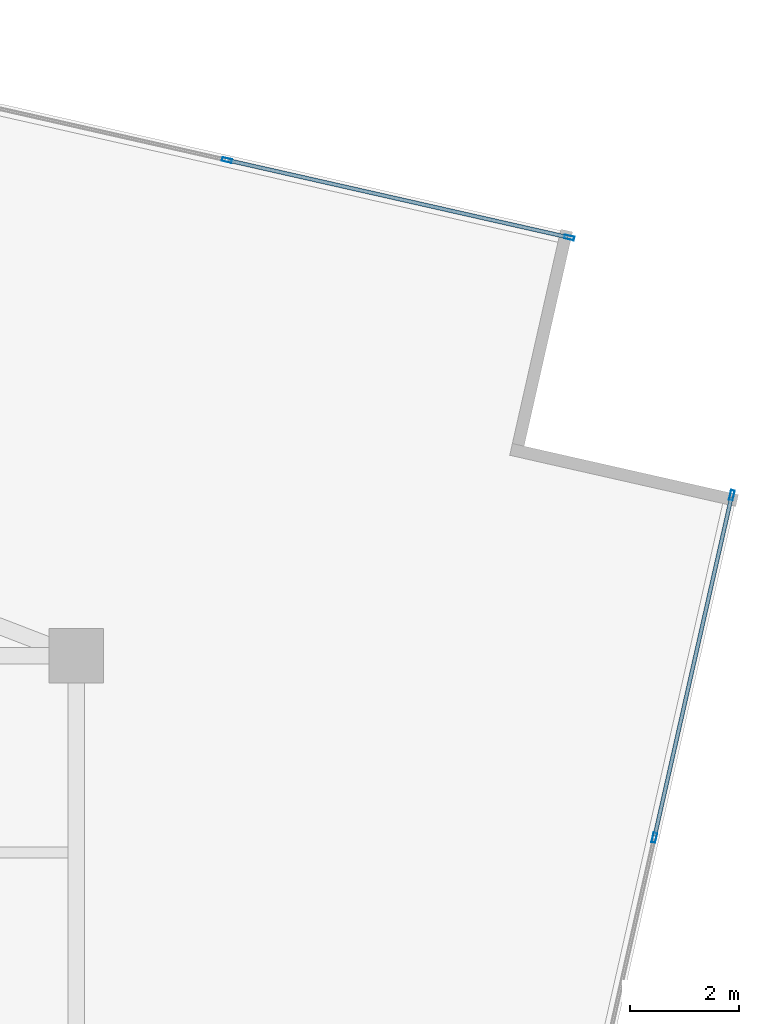
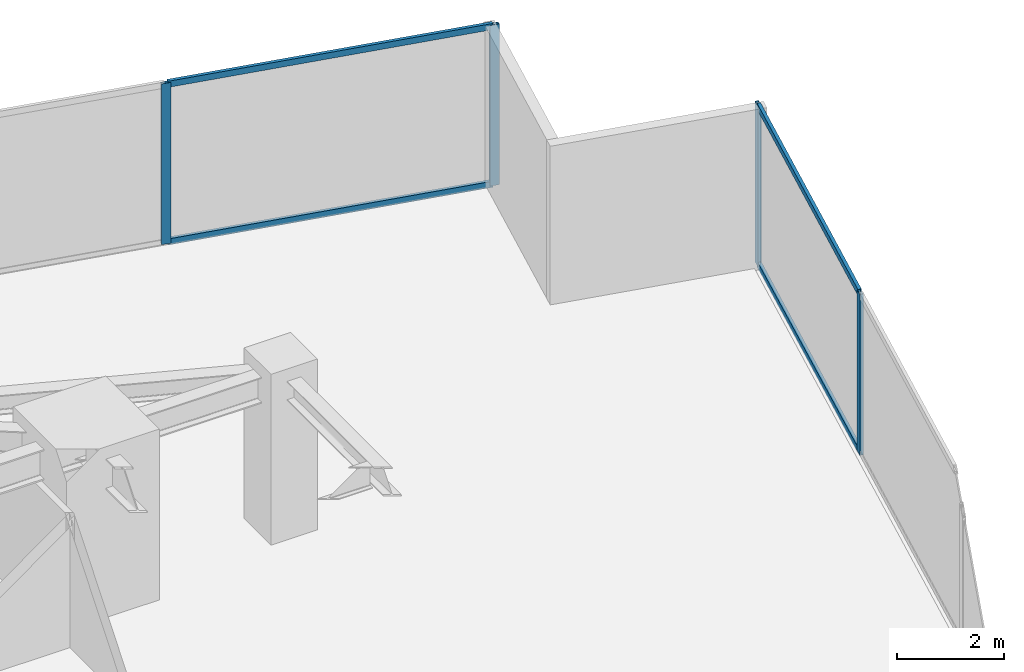
# One storey, part 20 of 27: 8 members, 2 elements without a shape of their own.
"""IFC4 building model written with IfcOpenShell, lengths in metres."""

from ifc_helpers import new_model, si_unit, direction, frame, origin, origin_2d, place, context, subcontext, project, spatial, hollow_rectangle, extrude, source, transform, mapped, material, material_profile, profile_set, type_object, type_shapes, element, aggregate, save


model = new_model("IFC4")

# Units and contexts
model_context = context("Model", 3, precision=1e-05, world=origin(), true_north=direction((0.0, 1.0)))
body_context = subcontext(model_context, "Body", "Model", "MODEL_VIEW")
ifc_project = project(units=[si_unit("LENGTHUNIT", "METRE"), si_unit("AREAUNIT", "SQUARE_METRE"), si_unit("VOLUMEUNIT", "CUBIC_METRE"), si_unit("PLANEANGLEUNIT", "RADIAN"), si_unit("MASSUNIT", "GRAM", prefix="KILO")], contexts=[model_context])

# Site, building, storey
site_placement = place(None, origin())
site = spatial("IfcSite", under=ifc_project, at=site_placement, CompositionType="ELEMENT")
building_placement = place(site_placement, origin())
building = spatial("IfcBuilding", under=site, at=building_placement, Name="Krantzveldt Concourse Tower", CompositionType="ELEMENT")
storey_placement = place(building_placement, frame((0.0, 0.0, 86.10009765625)))
storey = spatial("IfcBuildingStorey", under=building, at=storey_placement, Name="L20", CompositionType="ELEMENT", Elevation=86.10009765625)

# Curtain wall, members
ifc_material = material(Name="Anodised aluminium 6063-T6", Category="aluminium")
curtain_wall_type = type_object("IfcCurtainWallType", Name="CW2", PredefinedType="USERDEFINED", material=ifc_material)
curtain_wall_1_placement = place(storey_placement, origin())
curtain_wall_1 = element("IfcCurtainWall", 1, at=curtain_wall_1_placement, inside=storey, type_object=curtain_wall_type, Name="CW-L20-F07", ObjectType="UNITISED CURTAIN WALL", PredefinedType="USERDEFINED")
ifc_material_profile_1 = material_profile(ifc_material, hollow_rectangle(XDim=0.070068359375, YDim=0.179931640625, WallThickness=0.0048828125, at=origin_2d()), Name="Anodised aluminium 6063-T6", Category="aluminium")
ifc_profile_set_1 = profile_set([ifc_material_profile_1], Name="Anodised aluminium 6063-T6 - ALU-MULL 180x70x5")
member_type_1 = type_object("IfcMemberType", Name="CW-MUL-180", PredefinedType="MULLION", material=ifc_profile_set_1)
shared_shape_1 = source(origin(), body_context, "Body", "SweptSolid", [
    extrude(hollow_rectangle(XDim=0.070068359375, YDim=0.179931640625, WallThickness=0.0048828125, at=origin_2d()), origin(), (0.0, 0.0, 1.0), 3.669921875),
])
type_shapes(member_type_1, [shared_shape_1])
member_1_placement = place(storey_placement, frame((61.589599609375, 34.169921875, 0.0), z_axis=(0.0, 0.0, 1.0), x_axis=(-0.975342320609, 0.220697434579, 0.0)))
member_1 = element("IfcMember", 2, at=member_1_placement, type_object=member_type_1, Name="CW-Z12 mullion 6", PredefinedType="MULLION", context=body_context, shape_type="MappedRepresentation", body=[
    mapped(shared_shape_1, transform((0.0, 0.0, 0.0), x_axis=(1.0, 0.0, 0.0), y_axis=(0.0, 1.0, 0.0), z_axis=(0.0, 0.0, 1.0), scale=1.0)),
])
member_2_placement = place(storey_placement, frame((63.009033203125, 40.443115234375, 0.0), z_axis=(0.0, 0.0, 1.0), x_axis=(-0.975342320609, 0.220697434579, 0.0)))
member_2 = element("IfcMember", 3, at=member_2_placement, type_object=member_type_1, Name="CW-Z12 mullion 7", PredefinedType="MULLION", context=body_context, shape_type="MappedRepresentation", body=[
    mapped(shared_shape_1, transform((0.0, 0.0, 0.0), x_axis=(1.0, 0.0, 0.0), y_axis=(0.0, 1.0, 0.0), z_axis=(0.0, 0.0, 1.0), scale=1.0)),
])

curtain_wall_2_placement = place(storey_placement, origin())
curtain_wall_2 = element("IfcCurtainWall", 4, at=curtain_wall_2_placement, inside=storey, type_object=curtain_wall_type, Name="CW-L20-F10", ObjectType="UNITISED CURTAIN WALL", PredefinedType="USERDEFINED")
member_3_placement = place(storey_placement, frame((60.031982421875, 45.161376953125, 0.0), z_axis=(0.0, 0.0, 1.0), x_axis=(-0.220697434579, -0.975342320609, 0.0)))
member_3 = element("IfcMember", 5, at=member_3_placement, type_object=member_type_1, Name="CW-Z12 mullion 1", PredefinedType="MULLION", context=body_context, shape_type="MappedRepresentation", body=[
    mapped(shared_shape_1, transform((0.0, 0.0, 0.0), x_axis=(1.0, 0.0, 0.0), y_axis=(0.0, 1.0, 0.0), z_axis=(0.0, 0.0, 1.0), scale=1.0)),
])
member_4_placement = place(storey_placement, frame((53.7587890625, 46.580810546875, 0.0), z_axis=(0.0, 0.0, 1.0), x_axis=(-0.220697434579, -0.975342320609, 0.0)))
member_4 = element("IfcMember", 6, at=member_4_placement, type_object=member_type_1, Name="CW-Z12 mullion 2", PredefinedType="MULLION", context=body_context, shape_type="MappedRepresentation", body=[
    mapped(shared_shape_1, transform((0.0, 0.0, 0.0), x_axis=(1.0, 0.0, 0.0), y_axis=(0.0, 1.0, 0.0), z_axis=(0.0, 0.0, 1.0), scale=1.0)),
])

# Member
ifc_material_profile_2 = material_profile(ifc_material, hollow_rectangle(XDim=0.070068359375, YDim=0.139892578125, WallThickness=0.0048828125, at=origin_2d()), Name="Anodised aluminium 6063-T6", Category="aluminium")
ifc_profile_set_2 = profile_set([ifc_material_profile_2], Name="Anodised aluminium 6063-T6 - ALU-TRAN 140x70x5")
member_type_2 = type_object("IfcMemberType", Name="CW-TRN-150", PredefinedType="USERDEFINED", material=ifc_profile_set_2)
shared_shape_2 = source(origin(), body_context, "Body", "SweptSolid", [
    extrude(hollow_rectangle(XDim=0.070068359375, YDim=0.139892578125, WallThickness=0.0048828125, at=origin_2d()), origin(), (0.0, 0.0, 1.0), 6.361572265625),
])
member_5_placement = place(storey_placement, frame((61.597412109375, 34.2041015625, 0.034912109375), z_axis=(0.220667229594, 0.975349154807, 0.0), x_axis=(-0.975349154807, 0.220667229594, 0.0)))
member_5 = element("IfcMember", 7, at=member_5_placement, type_object=member_type_2, Name="CW-Z12 transom 6.1", ObjectType="TRANSOM", PredefinedType="USERDEFINED", context=body_context, shape_type="MappedRepresentation", body=[
    mapped(shared_shape_2, transform((0.0, 0.0, 0.0), x_axis=(1.0, 0.0, 0.0), y_axis=(0.0, 1.0, 0.0), z_axis=(0.0, 0.0, 1.0), scale=1.0)),
])

member_6_placement = place(storey_placement, frame((61.597412109375, 34.2041015625, 3.635009765625), z_axis=(0.220667229594, 0.975349154807, 0.0), x_axis=(-0.975349154807, 0.220667229594, 0.0)))
member_6 = element("IfcMember", 8, at=member_6_placement, type_object=member_type_2, Name="CW-Z12 transom 6.2", ObjectType="TRANSOM", PredefinedType="USERDEFINED", context=body_context, shape_type="MappedRepresentation", body=[
    mapped(shared_shape_2, transform((0.0, 0.0, 0.0), x_axis=(1.0, 0.0, 0.0), y_axis=(0.0, 1.0, 0.0), z_axis=(0.0, 0.0, 1.0), scale=1.0)),
])

aggregate(curtain_wall_1, [member_1, member_2, member_5, member_6])

shared_shape_3 = source(origin(), body_context, "Body", "SweptSolid", [
    extrude(hollow_rectangle(XDim=0.070068359375, YDim=0.139892578125, WallThickness=0.0048828125, at=origin_2d()), origin(), (0.0, 0.0, 1.0), 6.36181640625),
])
type_shapes(member_type_2, [shared_shape_2, shared_shape_3])
member_7_placement = place(storey_placement, frame((59.997802734375, 45.169189453125, 0.034912109375), z_axis=(-0.975340894424, 0.220703737314, 0.0), x_axis=(-0.220703737314, -0.975340894424, 0.0)))
member_7 = element("IfcMember", 9, at=member_7_placement, type_object=member_type_2, Name="CW-Z12 transom 1.1", ObjectType="TRANSOM", PredefinedType="USERDEFINED", context=body_context, shape_type="MappedRepresentation", body=[
    mapped(shared_shape_3, transform((0.0, 0.0, 0.0), x_axis=(1.0, 0.0, 0.0), y_axis=(0.0, 1.0, 0.0), z_axis=(0.0, 0.0, 1.0), scale=1.0)),
])

member_8_placement = place(storey_placement, frame((59.997802734375, 45.169189453125, 3.635009765625), z_axis=(-0.975340894424, 0.220703737314, 0.0), x_axis=(-0.220703737314, -0.975340894424, 0.0)))
member_8 = element("IfcMember", 10, at=member_8_placement, type_object=member_type_2, Name="CW-Z12 transom 1.2", ObjectType="TRANSOM", PredefinedType="USERDEFINED", context=body_context, shape_type="MappedRepresentation", body=[
    mapped(shared_shape_3, transform((0.0, 0.0, 0.0), x_axis=(1.0, 0.0, 0.0), y_axis=(0.0, 1.0, 0.0), z_axis=(0.0, 0.0, 1.0), scale=1.0)),
])

aggregate(curtain_wall_2, [member_3, member_4, member_7, member_8])

save(model, "model.ifc")
